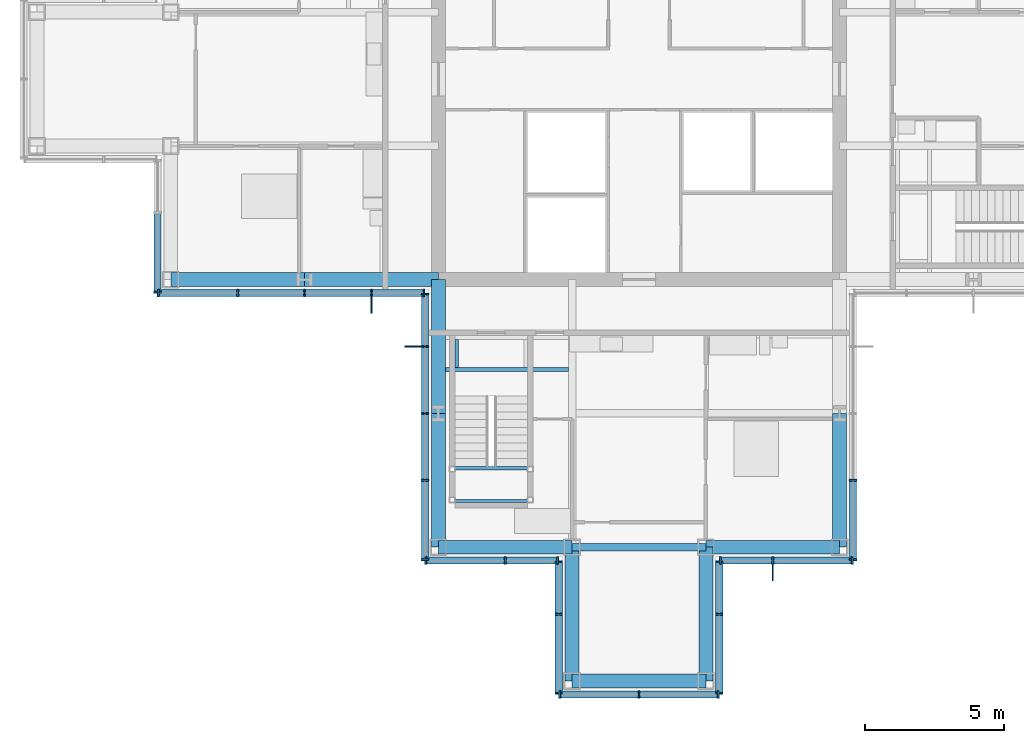
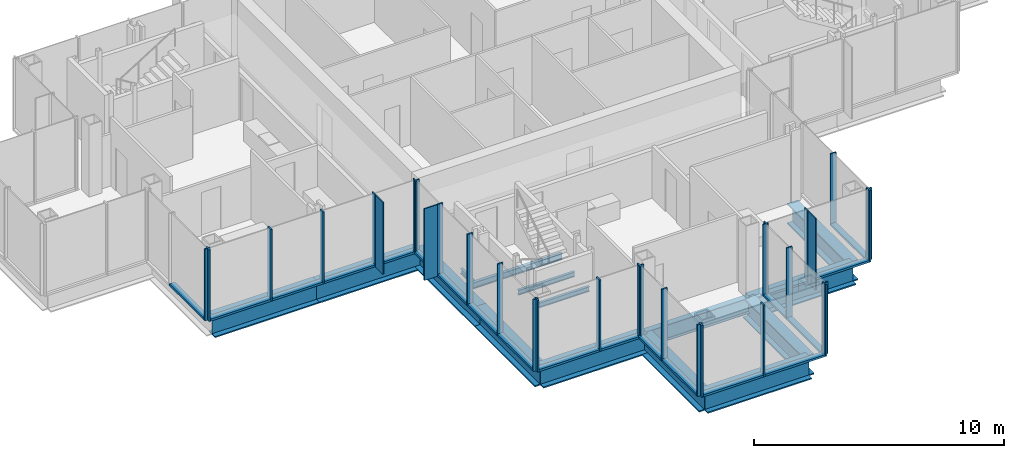
# One storey, part 5 of 15: 51 members, 15 beams, 9 elements without a shape of their own.
"""IFC4 building model written with IfcOpenShell, lengths in metres."""

from ifc_helpers import new_model, si_unit, direction, frame, origin, origin_2d, place, context, subcontext, project, spatial, rectangle, i_section, extrude, material, material_profile, profile_set, type_object, element, aggregate, save


model = new_model("IFC4")

# Units and contexts
model_context = context("Model", 3, precision=1e-05, world=origin(), true_north=direction((0.0, 1.0)))
body_context = subcontext(model_context, "Body", "Model", "MODEL_VIEW")
ifc_project = project(units=[si_unit("LENGTHUNIT", "METRE"), si_unit("AREAUNIT", "SQUARE_METRE"), si_unit("VOLUMEUNIT", "CUBIC_METRE"), si_unit("PLANEANGLEUNIT", "RADIAN"), si_unit("MASSUNIT", "GRAM", prefix="KILO")], contexts=[model_context])

# Site, building, storey
site_placement = place(None, origin())
site = spatial("IfcSite", under=ifc_project, at=site_placement, CompositionType="ELEMENT")
building_placement = place(site_placement, origin())
building = spatial("IfcBuilding", under=site, at=building_placement, Name="Kvirike Care Tower", CompositionType="ELEMENT")
storey_placement = place(building_placement, frame((0.0, 0.0, 201.5)))
storey = spatial("IfcBuildingStorey", under=building, at=storey_placement, Name="L55", CompositionType="ELEMENT", Elevation=201.5)

# Curtain wall, member
ifc_material_1 = material(Name="Anodised aluminium stick system", Category="aluminium")
curtain_wall_type = type_object("IfcCurtainWallType", Name="CW-D STICK CURTAIN WALL", PredefinedType="NOTDEFINED", material=ifc_material_1)
curtain_wall_1_placement = place(storey_placement, origin())
curtain_wall_1 = element("IfcCurtainWall", 1, at=curtain_wall_1_placement, inside=storey, type_object=curtain_wall_type, Name="Curtain wall L55 face 13", PredefinedType="NOTDEFINED")
ifc_material_2 = material(Name="Bronze anodised aluminium fin", Category="aluminium")
ifc_material_profile_1 = material_profile(ifc_material_2, rectangle(XDim=0.050048828125, YDim=0.60009765625, at=origin_2d()), Name="BRONZE FIN 600")
ifc_profile_set_1 = profile_set([ifc_material_profile_1], Name="Bronze anodised aluminium fin")
member_type_1 = type_object("IfcMemberType", Name="BRONZE FIN 600", PredefinedType="USERDEFINED", material=ifc_profile_set_1)
member_1_placement = place(storey_placement, frame((12.0, 27.889892578125, 0.0), z_axis=(0.0, 0.0, 1.0), x_axis=(1.0, 0.0, 0.0)))
member_1 = element("IfcMember", 2, at=member_1_placement, type_object=member_type_1, Name="Bronze fin L55 face 13.4", ObjectType="FIN", PredefinedType="USERDEFINED", context=body_context, shape_type="SweptSolid", body=[
    extrude(rectangle(XDim=0.050048828125, YDim=0.60009765625, at=origin_2d()), origin(), (0.0, 0.0, 1.0), 3.5),
])

curtain_wall_2_placement = place(storey_placement, origin())
curtain_wall_2 = element("IfcCurtainWall", 3, at=curtain_wall_2_placement, inside=storey, type_object=curtain_wall_type, Name="Curtain wall L55 face 14", PredefinedType="NOTDEFINED")
member_2_placement = place(storey_placement, frame((13.489990234375, 26.39990234375, 0.0), z_axis=(0.0, 0.0, 1.0), x_axis=(0.0, -1.0, 0.0)))
member_2 = element("IfcMember", 4, at=member_2_placement, type_object=member_type_1, Name="Bronze fin L55 face 14.2", ObjectType="FIN", PredefinedType="USERDEFINED", context=body_context, shape_type="SweptSolid", body=[
    extrude(rectangle(XDim=0.050048828125, YDim=0.60009765625, at=origin_2d()), origin(), (0.0, 0.0, 1.0), 3.5),
])

curtain_wall_3_placement = place(storey_placement, origin())
curtain_wall_3 = element("IfcCurtainWall", 5, at=curtain_wall_3_placement, inside=storey, type_object=curtain_wall_type, Name="Curtain wall L55 face 19", PredefinedType="NOTDEFINED")
member_3_placement = place(storey_placement, frame((26.39990234375, 18.2900390625, 0.0), z_axis=(0.0, 0.0, 1.0), x_axis=(1.0, 0.0, 0.0)))
member_3 = element("IfcMember", 6, at=member_3_placement, type_object=member_type_1, Name="Bronze fin L55 face 19.2", ObjectType="FIN", PredefinedType="USERDEFINED", context=body_context, shape_type="SweptSolid", body=[
    extrude(rectangle(XDim=0.050048828125, YDim=0.60009765625, at=origin_2d()), origin(), (0.0, 0.0, 1.0), 3.5),
])

curtain_wall_4_placement = place(storey_placement, origin())
curtain_wall_4 = element("IfcCurtainWall", 7, at=curtain_wall_4_placement, inside=storey, type_object=curtain_wall_type, Name="Curtain wall L55 face 12", PredefinedType="NOTDEFINED")
ifc_material_3 = material(Name="Bronze anodised aluminium mullion", Category="aluminium")
ifc_material_profile_2 = material_profile(ifc_material_3, rectangle(XDim=0.06494140625, YDim=0.260009765625, at=origin_2d()), Name="CW-D MULLION 65x260")
ifc_profile_set_2 = profile_set([ifc_material_profile_2], Name="Bronze anodised aluminium mullion")
member_type_2 = type_object("IfcMemberType", Name="CW-D MULLION 65x260", PredefinedType="MULLION", material=ifc_profile_set_2)
member_4_placement = place(storey_placement, frame((4.320068359375, 28.3525390625, 0.0), z_axis=(0.0, 0.0, 1.0), x_axis=(0.0, -1.0, 0.0)))
member_4 = element("IfcMember", 8, at=member_4_placement, type_object=member_type_2, Name="CW-D mullion L55 face 12.3", PredefinedType="MULLION", context=body_context, shape_type="SweptSolid", body=[
    extrude(rectangle(XDim=0.06494140625, YDim=0.260009765625, at=origin_2d()), origin(), (0.0, 0.0, 1.0), 3.5),
])

# Member
member_5_placement = place(storey_placement, frame((4.3525390625, 28.320068359375, 0.0), z_axis=(0.0, 0.0, 1.0), x_axis=(1.0, 0.0, 0.0)))
member_5 = element("IfcMember", 9, at=member_5_placement, type_object=member_type_2, Name="CW-D mullion L55 face 13.1", PredefinedType="MULLION", context=body_context, shape_type="SweptSolid", body=[
    extrude(rectangle(XDim=0.06494140625, YDim=0.260009765625, at=origin_2d()), origin(), (0.0, 0.0, 1.0), 3.5),
])

member_6_placement = place(storey_placement, frame((7.199951171875, 28.320068359375, 0.0), z_axis=(0.0, 0.0, 1.0), x_axis=(1.0, 0.0, 0.0)))
member_6 = element("IfcMember", 10, at=member_6_placement, type_object=member_type_2, Name="CW-D mullion L55 face 13.2", PredefinedType="MULLION", context=body_context, shape_type="SweptSolid", body=[
    extrude(rectangle(XDim=0.06494140625, YDim=0.260009765625, at=origin_2d()), origin(), (0.0, 0.0, 1.0), 3.5),
])

member_7_placement = place(storey_placement, frame((9.60009765625, 28.320068359375, 0.0), z_axis=(0.0, 0.0, 1.0), x_axis=(1.0, 0.0, 0.0)))
member_7 = element("IfcMember", 11, at=member_7_placement, type_object=member_type_2, Name="CW-D mullion L55 face 13.3", PredefinedType="MULLION", context=body_context, shape_type="SweptSolid", body=[
    extrude(rectangle(XDim=0.06494140625, YDim=0.260009765625, at=origin_2d()), origin(), (0.0, 0.0, 1.0), 3.5),
])

member_8_placement = place(storey_placement, frame((12.0, 28.320068359375, 0.0), z_axis=(0.0, 0.0, 1.0), x_axis=(1.0, 0.0, 0.0)))
member_8 = element("IfcMember", 12, at=member_8_placement, type_object=member_type_2, Name="CW-D mullion L55 face 13.4", PredefinedType="MULLION", context=body_context, shape_type="SweptSolid", body=[
    extrude(rectangle(XDim=0.06494140625, YDim=0.260009765625, at=origin_2d()), origin(), (0.0, 0.0, 1.0), 3.5),
])

member_9_placement = place(storey_placement, frame((13.887451171875, 28.320068359375, 0.0), z_axis=(0.0, 0.0, 1.0), x_axis=(1.0, 0.0, 0.0)))
member_9 = element("IfcMember", 13, at=member_9_placement, type_object=member_type_2, Name="CW-D mullion L55 face 13.5", PredefinedType="MULLION", context=body_context, shape_type="SweptSolid", body=[
    extrude(rectangle(XDim=0.06494140625, YDim=0.260009765625, at=origin_2d()), origin(), (0.0, 0.0, 1.0), 3.5),
])

member_10_placement = place(storey_placement, frame((13.919921875, 28.28759765625, 0.0), z_axis=(0.0, 0.0, 1.0), x_axis=(0.0, -1.0, 0.0)))
member_10 = element("IfcMember", 14, at=member_10_placement, type_object=member_type_2, Name="CW-D mullion L55 face 14.1", PredefinedType="MULLION", context=body_context, shape_type="SweptSolid", body=[
    extrude(rectangle(XDim=0.06494140625, YDim=0.260009765625, at=origin_2d()), origin(), (0.0, 0.0, 1.0), 3.5),
])

member_11_placement = place(storey_placement, frame((13.919921875, 26.39990234375, 0.0), z_axis=(0.0, 0.0, 1.0), x_axis=(0.0, -1.0, 0.0)))
member_11 = element("IfcMember", 15, at=member_11_placement, type_object=member_type_2, Name="CW-D mullion L55 face 14.2", PredefinedType="MULLION", context=body_context, shape_type="SweptSolid", body=[
    extrude(rectangle(XDim=0.06494140625, YDim=0.260009765625, at=origin_2d()), origin(), (0.0, 0.0, 1.0), 3.5),
])

member_12_placement = place(storey_placement, frame((13.919921875, 24.0, 0.0), z_axis=(0.0, 0.0, 1.0), x_axis=(0.0, -1.0, 0.0)))
member_12 = element("IfcMember", 16, at=member_12_placement, type_object=member_type_2, Name="CW-D mullion L55 face 14.3", PredefinedType="MULLION", context=body_context, shape_type="SweptSolid", body=[
    extrude(rectangle(XDim=0.06494140625, YDim=0.260009765625, at=origin_2d()), origin(), (0.0, 0.0, 1.0), 3.5),
])

member_13_placement = place(storey_placement, frame((13.919921875, 21.60009765625, 0.0), z_axis=(0.0, 0.0, 1.0), x_axis=(0.0, -1.0, 0.0)))
member_13 = element("IfcMember", 17, at=member_13_placement, type_object=member_type_2, Name="CW-D mullion L55 face 14.4", PredefinedType="MULLION", context=body_context, shape_type="SweptSolid", body=[
    extrude(rectangle(XDim=0.06494140625, YDim=0.260009765625, at=origin_2d()), origin(), (0.0, 0.0, 1.0), 3.5),
])

member_14_placement = place(storey_placement, frame((13.919921875, 18.75244140625, 0.0), z_axis=(0.0, 0.0, 1.0), x_axis=(0.0, -1.0, 0.0)))
member_14 = element("IfcMember", 18, at=member_14_placement, type_object=member_type_2, Name="CW-D mullion L55 face 14.5", PredefinedType="MULLION", context=body_context, shape_type="SweptSolid", body=[
    extrude(rectangle(XDim=0.06494140625, YDim=0.260009765625, at=origin_2d()), origin(), (0.0, 0.0, 1.0), 3.5),
])

# Curtain wall, members
curtain_wall_5_placement = place(storey_placement, origin())
curtain_wall_5 = element("IfcCurtainWall", 19, at=curtain_wall_5_placement, inside=storey, type_object=curtain_wall_type, Name="Curtain wall L55 face 15", PredefinedType="NOTDEFINED")
member_15_placement = place(storey_placement, frame((13.952392578125, 18.719970703125, 0.0), z_axis=(0.0, 0.0, 1.0), x_axis=(1.0, 0.0, 0.0)))
member_15 = element("IfcMember", 20, at=member_15_placement, type_object=member_type_2, Name="CW-D mullion L55 face 15.1", PredefinedType="MULLION", context=body_context, shape_type="SweptSolid", body=[
    extrude(rectangle(XDim=0.06494140625, YDim=0.260009765625, at=origin_2d()), origin(), (0.0, 0.0, 1.0), 3.5),
])
member_16_placement = place(storey_placement, frame((16.800048828125, 18.719970703125, 0.0), z_axis=(0.0, 0.0, 1.0), x_axis=(1.0, 0.0, 0.0)))
member_16 = element("IfcMember", 21, at=member_16_placement, type_object=member_type_2, Name="CW-D mullion L55 face 15.2", PredefinedType="MULLION", context=body_context, shape_type="SweptSolid", body=[
    extrude(rectangle(XDim=0.06494140625, YDim=0.260009765625, at=origin_2d()), origin(), (0.0, 0.0, 1.0), 3.5),
])
member_17_placement = place(storey_placement, frame((18.6875, 18.719970703125, 0.0), z_axis=(0.0, 0.0, 1.0), x_axis=(1.0, 0.0, 0.0)))
member_17 = element("IfcMember", 22, at=member_17_placement, type_object=member_type_2, Name="CW-D mullion L55 face 15.3", PredefinedType="MULLION", context=body_context, shape_type="SweptSolid", body=[
    extrude(rectangle(XDim=0.06494140625, YDim=0.260009765625, at=origin_2d()), origin(), (0.0, 0.0, 1.0), 3.5),
])

curtain_wall_6_placement = place(storey_placement, origin())
curtain_wall_6 = element("IfcCurtainWall", 23, at=curtain_wall_6_placement, inside=storey, type_object=curtain_wall_type, Name="Curtain wall L55 face 16", PredefinedType="NOTDEFINED")
member_18_placement = place(storey_placement, frame((18.719970703125, 18.6875, 0.0), z_axis=(0.0, 0.0, 1.0), x_axis=(0.0, -1.0, 0.0)))
member_18 = element("IfcMember", 24, at=member_18_placement, type_object=member_type_2, Name="CW-D mullion L55 face 16.1", PredefinedType="MULLION", context=body_context, shape_type="SweptSolid", body=[
    extrude(rectangle(XDim=0.06494140625, YDim=0.260009765625, at=origin_2d()), origin(), (0.0, 0.0, 1.0), 3.5),
])
member_19_placement = place(storey_placement, frame((18.719970703125, 16.800048828125, 0.0), z_axis=(0.0, 0.0, 1.0), x_axis=(0.0, -1.0, 0.0)))
member_19 = element("IfcMember", 25, at=member_19_placement, type_object=member_type_2, Name="CW-D mullion L55 face 16.2", PredefinedType="MULLION", context=body_context, shape_type="SweptSolid", body=[
    extrude(rectangle(XDim=0.06494140625, YDim=0.260009765625, at=origin_2d()), origin(), (0.0, 0.0, 1.0), 3.5),
])
member_20_placement = place(storey_placement, frame((18.719970703125, 13.952392578125, 0.0), z_axis=(0.0, 0.0, 1.0), x_axis=(0.0, -1.0, 0.0)))
member_20 = element("IfcMember", 26, at=member_20_placement, type_object=member_type_2, Name="CW-D mullion L55 face 16.3", PredefinedType="MULLION", context=body_context, shape_type="SweptSolid", body=[
    extrude(rectangle(XDim=0.06494140625, YDim=0.260009765625, at=origin_2d()), origin(), (0.0, 0.0, 1.0), 3.5),
])

curtain_wall_7_placement = place(storey_placement, origin())
curtain_wall_7 = element("IfcCurtainWall", 27, at=curtain_wall_7_placement, inside=storey, type_object=curtain_wall_type, Name="Curtain wall L55 face 17", PredefinedType="NOTDEFINED")
member_21_placement = place(storey_placement, frame((18.75244140625, 13.919921875, 0.0), z_axis=(0.0, 0.0, 1.0), x_axis=(1.0, 0.0, 0.0)))
member_21 = element("IfcMember", 28, at=member_21_placement, type_object=member_type_2, Name="CW-D mullion L55 face 17.1", PredefinedType="MULLION", context=body_context, shape_type="SweptSolid", body=[
    extrude(rectangle(XDim=0.06494140625, YDim=0.260009765625, at=origin_2d()), origin(), (0.0, 0.0, 1.0), 3.5),
])
member_22_placement = place(storey_placement, frame((21.60009765625, 13.919921875, 0.0), z_axis=(0.0, 0.0, 1.0), x_axis=(1.0, 0.0, 0.0)))
member_22 = element("IfcMember", 29, at=member_22_placement, type_object=member_type_2, Name="CW-D mullion L55 face 17.2", PredefinedType="MULLION", context=body_context, shape_type="SweptSolid", body=[
    extrude(rectangle(XDim=0.06494140625, YDim=0.260009765625, at=origin_2d()), origin(), (0.0, 0.0, 1.0), 3.5),
])
member_23_placement = place(storey_placement, frame((24.447509765625, 13.919921875, 0.0), z_axis=(0.0, 0.0, 1.0), x_axis=(1.0, 0.0, 0.0)))
member_23 = element("IfcMember", 30, at=member_23_placement, type_object=member_type_2, Name="CW-D mullion L55 face 17.3", PredefinedType="MULLION", context=body_context, shape_type="SweptSolid", body=[
    extrude(rectangle(XDim=0.06494140625, YDim=0.260009765625, at=origin_2d()), origin(), (0.0, 0.0, 1.0), 3.5),
])

curtain_wall_8_placement = place(storey_placement, origin())
curtain_wall_8 = element("IfcCurtainWall", 31, at=curtain_wall_8_placement, inside=storey, type_object=curtain_wall_type, Name="Curtain wall L55 face 18", PredefinedType="NOTDEFINED")
member_24_placement = place(storey_placement, frame((24.47998046875, 13.952392578125, 0.0), z_axis=(0.0, 0.0, 1.0), x_axis=(0.0, 1.0, 0.0)))
member_24 = element("IfcMember", 32, at=member_24_placement, type_object=member_type_2, Name="CW-D mullion L55 face 18.1", PredefinedType="MULLION", context=body_context, shape_type="SweptSolid", body=[
    extrude(rectangle(XDim=0.06494140625, YDim=0.260009765625, at=origin_2d()), origin(), (0.0, 0.0, 1.0), 3.5),
])
member_25_placement = place(storey_placement, frame((24.47998046875, 16.800048828125, 0.0), z_axis=(0.0, 0.0, 1.0), x_axis=(0.0, 1.0, 0.0)))
member_25 = element("IfcMember", 33, at=member_25_placement, type_object=member_type_2, Name="CW-D mullion L55 face 18.2", PredefinedType="MULLION", context=body_context, shape_type="SweptSolid", body=[
    extrude(rectangle(XDim=0.06494140625, YDim=0.260009765625, at=origin_2d()), origin(), (0.0, 0.0, 1.0), 3.5),
])
member_26_placement = place(storey_placement, frame((24.47998046875, 18.6875, 0.0), z_axis=(0.0, 0.0, 1.0), x_axis=(0.0, 1.0, 0.0)))
member_26 = element("IfcMember", 34, at=member_26_placement, type_object=member_type_2, Name="CW-D mullion L55 face 18.3", PredefinedType="MULLION", context=body_context, shape_type="SweptSolid", body=[
    extrude(rectangle(XDim=0.06494140625, YDim=0.260009765625, at=origin_2d()), origin(), (0.0, 0.0, 1.0), 3.5),
])

# Member
member_27_placement = place(storey_placement, frame((24.512451171875, 18.719970703125, 0.0), z_axis=(0.0, 0.0, 1.0), x_axis=(1.0, 0.0, 0.0)))
member_27 = element("IfcMember", 35, at=member_27_placement, type_object=member_type_2, Name="CW-D mullion L55 face 19.1", PredefinedType="MULLION", context=body_context, shape_type="SweptSolid", body=[
    extrude(rectangle(XDim=0.06494140625, YDim=0.260009765625, at=origin_2d()), origin(), (0.0, 0.0, 1.0), 3.5),
])

member_28_placement = place(storey_placement, frame((26.39990234375, 18.719970703125, 0.0), z_axis=(0.0, 0.0, 1.0), x_axis=(1.0, 0.0, 0.0)))
member_28 = element("IfcMember", 36, at=member_28_placement, type_object=member_type_2, Name="CW-D mullion L55 face 19.2", PredefinedType="MULLION", context=body_context, shape_type="SweptSolid", body=[
    extrude(rectangle(XDim=0.06494140625, YDim=0.260009765625, at=origin_2d()), origin(), (0.0, 0.0, 1.0), 3.5),
])

member_29_placement = place(storey_placement, frame((29.24755859375, 18.719970703125, 0.0), z_axis=(0.0, 0.0, 1.0), x_axis=(1.0, 0.0, 0.0)))
member_29 = element("IfcMember", 37, at=member_29_placement, type_object=member_type_2, Name="CW-D mullion L55 face 19.3", PredefinedType="MULLION", context=body_context, shape_type="SweptSolid", body=[
    extrude(rectangle(XDim=0.06494140625, YDim=0.260009765625, at=origin_2d()), origin(), (0.0, 0.0, 1.0), 3.5),
])

# Curtain wall, members
curtain_wall_9_placement = place(storey_placement, origin())
curtain_wall_9 = element("IfcCurtainWall", 38, at=curtain_wall_9_placement, inside=storey, type_object=curtain_wall_type, Name="Curtain wall L55 face 20", PredefinedType="NOTDEFINED")
member_30_placement = place(storey_placement, frame((29.280029296875, 18.75244140625, 0.0), z_axis=(0.0, 0.0, 1.0), x_axis=(0.0, 1.0, 0.0)))
member_30 = element("IfcMember", 39, at=member_30_placement, type_object=member_type_2, Name="CW-D mullion L55 face 20.1", PredefinedType="MULLION", context=body_context, shape_type="SweptSolid", body=[
    extrude(rectangle(XDim=0.06494140625, YDim=0.260009765625, at=origin_2d()), origin(), (0.0, 0.0, 1.0), 3.5),
])
member_31_placement = place(storey_placement, frame((29.280029296875, 21.60009765625, 0.0), z_axis=(0.0, 0.0, 1.0), x_axis=(0.0, 1.0, 0.0)))
member_31 = element("IfcMember", 40, at=member_31_placement, type_object=member_type_2, Name="CW-D mullion L55 face 20.2", PredefinedType="MULLION", context=body_context, shape_type="SweptSolid", body=[
    extrude(rectangle(XDim=0.06494140625, YDim=0.260009765625, at=origin_2d()), origin(), (0.0, 0.0, 1.0), 3.5),
])

# Member
ifc_material_4 = material(Name="Bronze anodised aluminium transom", Category="aluminium")
ifc_material_profile_3 = material_profile(ifc_material_4, rectangle(XDim=0.260009765625, YDim=0.10009765625, at=origin_2d()), Name="CW-D TRANSOM 260x100")
ifc_profile_set_3 = profile_set([ifc_material_profile_3], Name="Bronze anodised aluminium transom")
member_type_3 = type_object("IfcMemberType", Name="CW-D TRANSOM 260x100", PredefinedType="USERDEFINED", material=ifc_profile_set_3)
member_32_placement = place(storey_placement, frame((4.320068359375, 31.16748046875, 0.050048828125), z_axis=(0.0, -1.0, 0.0), x_axis=(1.0, 0.0, 0.0)))
member_32 = element("IfcMember", 41, at=member_32_placement, type_object=member_type_3, Name="CW-D sill transom L55 face 12.2", ObjectType="TRANSOM", PredefinedType="USERDEFINED", context=body_context, shape_type="SweptSolid", body=[
    extrude(rectangle(XDim=0.260009765625, YDim=0.10009765625, at=origin_2d()), origin(), (0.0, 0.0, 1.0), 2.782470703125),
])

aggregate(curtain_wall_4, [member_4, member_32])

member_33_placement = place(storey_placement, frame((4.385009765625, 28.320068359375, 0.050048828125), z_axis=(1.0, 0.0, 0.0), x_axis=(0.0, 1.0, 0.0)))
member_33 = element("IfcMember", 42, at=member_33_placement, type_object=member_type_3, Name="CW-D sill transom L55 face 13.1", ObjectType="TRANSOM", PredefinedType="USERDEFINED", context=body_context, shape_type="SweptSolid", body=[
    extrude(rectangle(XDim=0.260009765625, YDim=0.10009765625, at=origin_2d()), origin(), (0.0, 0.0, 1.0), 2.782470703125),
])

member_34_placement = place(storey_placement, frame((7.232421875, 28.320068359375, 0.050048828125), z_axis=(1.0, 0.0, 0.0), x_axis=(0.0, 1.0, 0.0)))
member_34 = element("IfcMember", 43, at=member_34_placement, type_object=member_type_3, Name="CW-D sill transom L55 face 13.2", ObjectType="TRANSOM", PredefinedType="USERDEFINED", context=body_context, shape_type="SweptSolid", body=[
    extrude(rectangle(XDim=0.260009765625, YDim=0.10009765625, at=origin_2d()), origin(), (0.0, 0.0, 1.0), 2.3349609375),
])

member_35_placement = place(storey_placement, frame((9.632568359375, 28.320068359375, 0.050048828125), z_axis=(1.0, 0.0, 0.0), x_axis=(0.0, 1.0, 0.0)))
member_35 = element("IfcMember", 44, at=member_35_placement, type_object=member_type_3, Name="CW-D sill transom L55 face 13.3", ObjectType="TRANSOM", PredefinedType="USERDEFINED", context=body_context, shape_type="SweptSolid", body=[
    extrude(rectangle(XDim=0.260009765625, YDim=0.10009765625, at=origin_2d()), origin(), (0.0, 0.0, 1.0), 2.3349609375),
])

member_36_placement = place(storey_placement, frame((12.032470703125, 28.320068359375, 0.050048828125), z_axis=(1.0, 0.0, 0.0), x_axis=(0.0, 1.0, 0.0)))
member_36 = element("IfcMember", 45, at=member_36_placement, type_object=member_type_3, Name="CW-D sill transom L55 face 13.4", ObjectType="TRANSOM", PredefinedType="USERDEFINED", context=body_context, shape_type="SweptSolid", body=[
    extrude(rectangle(XDim=0.260009765625, YDim=0.10009765625, at=origin_2d()), origin(), (0.0, 0.0, 1.0), 1.822509765625),
])

aggregate(curtain_wall_1, [member_5, member_6, member_7, member_8, member_1, member_9, member_33, member_34, member_35, member_36])

member_37_placement = place(storey_placement, frame((13.919921875, 28.2548828125, 0.050048828125), z_axis=(0.0, -1.0, 0.0), x_axis=(1.0, 0.0, 0.0)))
member_37 = element("IfcMember", 46, at=member_37_placement, type_object=member_type_3, Name="CW-D sill transom L55 face 14.1", ObjectType="TRANSOM", PredefinedType="USERDEFINED", context=body_context, shape_type="SweptSolid", body=[
    extrude(rectangle(XDim=0.260009765625, YDim=0.10009765625, at=origin_2d()), origin(), (0.0, 0.0, 1.0), 1.822265625),
])

member_38_placement = place(storey_placement, frame((13.919921875, 26.367431640625, 0.050048828125), z_axis=(0.0, -1.0, 0.0), x_axis=(1.0, 0.0, 0.0)))
member_38 = element("IfcMember", 47, at=member_38_placement, type_object=member_type_3, Name="CW-D sill transom L55 face 14.2", ObjectType="TRANSOM", PredefinedType="USERDEFINED", context=body_context, shape_type="SweptSolid", body=[
    extrude(rectangle(XDim=0.260009765625, YDim=0.10009765625, at=origin_2d()), origin(), (0.0, 0.0, 1.0), 2.3349609375),
])

member_39_placement = place(storey_placement, frame((13.919921875, 23.967529296875, 0.050048828125), z_axis=(0.0, -1.0, 0.0), x_axis=(1.0, 0.0, 0.0)))
member_39 = element("IfcMember", 48, at=member_39_placement, type_object=member_type_3, Name="CW-D sill transom L55 face 14.3", ObjectType="TRANSOM", PredefinedType="USERDEFINED", context=body_context, shape_type="SweptSolid", body=[
    extrude(rectangle(XDim=0.260009765625, YDim=0.10009765625, at=origin_2d()), origin(), (0.0, 0.0, 1.0), 2.3349609375),
])

member_40_placement = place(storey_placement, frame((13.919921875, 21.5673828125, 0.050048828125), z_axis=(0.0, -1.0, 0.0), x_axis=(1.0, 0.0, 0.0)))
member_40 = element("IfcMember", 49, at=member_40_placement, type_object=member_type_3, Name="CW-D sill transom L55 face 14.4", ObjectType="TRANSOM", PredefinedType="USERDEFINED", context=body_context, shape_type="SweptSolid", body=[
    extrude(rectangle(XDim=0.260009765625, YDim=0.10009765625, at=origin_2d()), origin(), (0.0, 0.0, 1.0), 2.782470703125),
])

aggregate(curtain_wall_2, [member_10, member_11, member_2, member_12, member_13, member_14, member_37, member_38, member_39, member_40])

member_41_placement = place(storey_placement, frame((13.985107421875, 18.719970703125, 0.050048828125), z_axis=(1.0, 0.0, 0.0), x_axis=(0.0, 1.0, 0.0)))
member_41 = element("IfcMember", 50, at=member_41_placement, type_object=member_type_3, Name="CW-D sill transom L55 face 15.1", ObjectType="TRANSOM", PredefinedType="USERDEFINED", context=body_context, shape_type="SweptSolid", body=[
    extrude(rectangle(XDim=0.260009765625, YDim=0.10009765625, at=origin_2d()), origin(), (0.0, 0.0, 1.0), 2.782470703125),
])

member_42_placement = place(storey_placement, frame((16.83251953125, 18.719970703125, 0.050048828125), z_axis=(1.0, 0.0, 0.0), x_axis=(0.0, 1.0, 0.0)))
member_42 = element("IfcMember", 51, at=member_42_placement, type_object=member_type_3, Name="CW-D sill transom L55 face 15.2", ObjectType="TRANSOM", PredefinedType="USERDEFINED", context=body_context, shape_type="SweptSolid", body=[
    extrude(rectangle(XDim=0.260009765625, YDim=0.10009765625, at=origin_2d()), origin(), (0.0, 0.0, 1.0), 1.822509765625),
])

aggregate(curtain_wall_5, [member_15, member_16, member_17, member_41, member_42])

member_43_placement = place(storey_placement, frame((18.719970703125, 18.655029296875, 0.050048828125), z_axis=(0.0, -1.0, 0.0), x_axis=(1.0, 0.0, 0.0)))
member_43 = element("IfcMember", 52, at=member_43_placement, type_object=member_type_3, Name="CW-D sill transom L55 face 16.1", ObjectType="TRANSOM", PredefinedType="USERDEFINED", context=body_context, shape_type="SweptSolid", body=[
    extrude(rectangle(XDim=0.260009765625, YDim=0.10009765625, at=origin_2d()), origin(), (0.0, 0.0, 1.0), 1.822509765625),
])

member_44_placement = place(storey_placement, frame((18.719970703125, 16.767578125, 0.050048828125), z_axis=(0.0, -1.0, 0.0), x_axis=(1.0, 0.0, 0.0)))
member_44 = element("IfcMember", 53, at=member_44_placement, type_object=member_type_3, Name="CW-D sill transom L55 face 16.2", ObjectType="TRANSOM", PredefinedType="USERDEFINED", context=body_context, shape_type="SweptSolid", body=[
    extrude(rectangle(XDim=0.260009765625, YDim=0.10009765625, at=origin_2d()), origin(), (0.0, 0.0, 1.0), 2.782470703125),
])

aggregate(curtain_wall_6, [member_18, member_19, member_20, member_43, member_44])

member_45_placement = place(storey_placement, frame((18.784912109375, 13.919921875, 0.050048828125), z_axis=(1.0, 0.0, 0.0), x_axis=(0.0, 1.0, 0.0)))
member_45 = element("IfcMember", 54, at=member_45_placement, type_object=member_type_3, Name="CW-D sill transom L55 face 17.1", ObjectType="TRANSOM", PredefinedType="USERDEFINED", context=body_context, shape_type="SweptSolid", body=[
    extrude(rectangle(XDim=0.260009765625, YDim=0.10009765625, at=origin_2d()), origin(), (0.0, 0.0, 1.0), 2.782470703125),
])

member_46_placement = place(storey_placement, frame((21.632568359375, 13.919921875, 0.050048828125), z_axis=(1.0, 0.0, 0.0), x_axis=(0.0, 1.0, 0.0)))
member_46 = element("IfcMember", 55, at=member_46_placement, type_object=member_type_3, Name="CW-D sill transom L55 face 17.2", ObjectType="TRANSOM", PredefinedType="USERDEFINED", context=body_context, shape_type="SweptSolid", body=[
    extrude(rectangle(XDim=0.260009765625, YDim=0.10009765625, at=origin_2d()), origin(), (0.0, 0.0, 1.0), 2.782470703125),
])

aggregate(curtain_wall_7, [member_21, member_22, member_23, member_45, member_46])

member_47_placement = place(storey_placement, frame((24.47998046875, 13.985107421875, 0.050048828125), z_axis=(0.0, 1.0, 0.0), x_axis=(-1.0, 0.0, 0.0)))
member_47 = element("IfcMember", 56, at=member_47_placement, type_object=member_type_3, Name="CW-D sill transom L55 face 18.1", ObjectType="TRANSOM", PredefinedType="USERDEFINED", context=body_context, shape_type="SweptSolid", body=[
    extrude(rectangle(XDim=0.260009765625, YDim=0.10009765625, at=origin_2d()), origin(), (0.0, 0.0, 1.0), 2.782470703125),
])

member_48_placement = place(storey_placement, frame((24.47998046875, 16.83251953125, 0.050048828125), z_axis=(0.0, 1.0, 0.0), x_axis=(-1.0, 0.0, 0.0)))
member_48 = element("IfcMember", 57, at=member_48_placement, type_object=member_type_3, Name="CW-D sill transom L55 face 18.2", ObjectType="TRANSOM", PredefinedType="USERDEFINED", context=body_context, shape_type="SweptSolid", body=[
    extrude(rectangle(XDim=0.260009765625, YDim=0.10009765625, at=origin_2d()), origin(), (0.0, 0.0, 1.0), 1.822509765625),
])

aggregate(curtain_wall_8, [member_24, member_25, member_26, member_47, member_48])

member_49_placement = place(storey_placement, frame((24.544921875, 18.719970703125, 0.050048828125), z_axis=(1.0, 0.0, 0.0), x_axis=(0.0, 1.0, 0.0)))
member_49 = element("IfcMember", 58, at=member_49_placement, type_object=member_type_3, Name="CW-D sill transom L55 face 19.1", ObjectType="TRANSOM", PredefinedType="USERDEFINED", context=body_context, shape_type="SweptSolid", body=[
    extrude(rectangle(XDim=0.260009765625, YDim=0.10009765625, at=origin_2d()), origin(), (0.0, 0.0, 1.0), 1.822509765625),
])

member_50_placement = place(storey_placement, frame((26.4326171875, 18.719970703125, 0.050048828125), z_axis=(1.0, 0.0, 0.0), x_axis=(0.0, 1.0, 0.0)))
member_50 = element("IfcMember", 59, at=member_50_placement, type_object=member_type_3, Name="CW-D sill transom L55 face 19.2", ObjectType="TRANSOM", PredefinedType="USERDEFINED", context=body_context, shape_type="SweptSolid", body=[
    extrude(rectangle(XDim=0.260009765625, YDim=0.10009765625, at=origin_2d()), origin(), (0.0, 0.0, 1.0), 2.782470703125),
])

aggregate(curtain_wall_3, [member_27, member_28, member_3, member_29, member_49, member_50])

member_51_placement = place(storey_placement, frame((29.280029296875, 18.784912109375, 0.050048828125), z_axis=(0.0, 1.0, 0.0), x_axis=(-1.0, 0.0, 0.0)))
member_51 = element("IfcMember", 60, at=member_51_placement, type_object=member_type_3, Name="CW-D sill transom L55 face 20.1", ObjectType="TRANSOM", PredefinedType="USERDEFINED", context=body_context, shape_type="SweptSolid", body=[
    extrude(rectangle(XDim=0.260009765625, YDim=0.10009765625, at=origin_2d()), origin(), (0.0, 0.0, 1.0), 2.782470703125),
])

aggregate(curtain_wall_9, [member_30, member_31, member_51])

# Beams
ifc_material_5 = material(Name="Steel S355", Category="steel")
ifc_material_profile_4 = material_profile(ifc_material_5, i_section(OverallWidth=0.26806640625, OverallDepth=0.77001953125, WebThickness=0.015625, FlangeThickness=0.025390625, FilletRadius=0.01708984375, at=origin_2d()), Name="IPE 750x196")
ifc_profile_set_4 = profile_set([ifc_material_profile_4], Name="Steel S355")
beam_type_1 = type_object("IfcBeamType", Name="FLOOR BEAM IPE 750x196", PredefinedType="BEAM", material=ifc_profile_set_4)
beam_1_placement = place(storey_placement, frame((19.199951171875, 19.199951171875, -0.554931640625), z_axis=(1.0, 0.0, 0.0), x_axis=(0.0, 1.0, 0.0)))
element("IfcBeam", 61, at=beam_1_placement, inside=storey, type_object=beam_type_1, Name="Floor Beam E7-E8 L55", PredefinedType="BEAM", context=body_context, shape_type="SweptSolid", body=[
    extrude(i_section(OverallWidth=0.26806640625, OverallDepth=0.77001953125, WebThickness=0.015625, FlangeThickness=0.025390625, FilletRadius=0.01708984375, at=origin_2d()), origin(), (0.0, 0.0, 1.0), 4.800048828125),
])
ifc_material_6 = material(Name="Steel S355", Category="steel")
ifc_material_profile_5 = material_profile(ifc_material_6, i_section(OverallWidth=0.5, OverallDepth=1.0, WebThickness=0.030029296875, FlangeThickness=0.06005859375, at=origin_2d()), Name="PG 1000x500x30x60")
ifc_profile_set_5 = profile_set([ifc_material_profile_5], Name="Steel S355")
beam_type_2 = type_object("IfcBeamType", Name="SPANDREL PG 1000x500x30x60", PredefinedType="SPANDREL", material=ifc_profile_set_5)
for number, where, z_axis, x_axis, name in (
    (62, (19.199951171875, 14.39990234375, -0.669921875), (1.0, 0.0, 0.0), (0.0, 1.0, 0.0), "Spandrel D7-D8 L55"),
    (63, (14.39990234375, 19.199951171875, -0.669921875), (1.0, 0.0, 0.0), (0.0, 1.0, 0.0), "Spandrel E6-E7 L55"),
    (64, (24.0, 19.199951171875, -0.669921875), (1.0, 0.0, 0.0), (0.0, 1.0, 0.0), "Spandrel E8-E9 L55"),
    (65, (4.800048828125, 28.800048828125, -0.669921875), (1.0, 0.0, 0.0), (0.0, 1.0, 0.0), "Spandrel G4-G5 L55"),
):
    element("IfcBeam", number, at=place(storey_placement, frame(where, z_axis=z_axis, x_axis=x_axis)), inside=storey, type_object=beam_type_2, Name=name, PredefinedType="SPANDREL", context=body_context, shape_type="SweptSolid", body=[
        extrude(i_section(OverallWidth=0.5, OverallDepth=1.0, WebThickness=0.030029296875, FlangeThickness=0.06005859375, at=origin_2d()), origin(), (0.0, 0.0, 1.0), 4.800048828125),
    ])
beam_2_placement = place(storey_placement, frame((9.60009765625, 28.800048828125, -0.669921875), z_axis=(1.0, 0.0, 0.0), x_axis=(0.0, 1.0, 0.0)))
element("IfcBeam", 66, at=beam_2_placement, inside=storey, type_object=beam_type_2, Name="Spandrel G5-G6 L55", PredefinedType="SPANDREL", context=body_context, shape_type="SweptSolid", body=[
    extrude(i_section(OverallWidth=0.5, OverallDepth=1.0, WebThickness=0.030029296875, FlangeThickness=0.06005859375, at=origin_2d()), origin(), (0.0, 0.0, 1.0), 4.7998046875),
])
for number, where, z_axis, x_axis, name in (
    (67, (14.39990234375, 19.199951171875, -0.669921875), (0.0, 1.0, 0.0), (-1.0, 0.0, 0.0), "Spandrel E6-F6 L55"),
    (68, (14.39990234375, 24.0, -0.669921875), (0.0, 1.0, 0.0), (-1.0, 0.0, 0.0), "Spandrel F6-G6 L55"),
    (69, (19.199951171875, 14.39990234375, -0.669921875), (0.0, 1.0, 0.0), (-1.0, 0.0, 0.0), "Spandrel D7-E7 L55"),
    (70, (24.0, 14.39990234375, -0.669921875), (0.0, 1.0, 0.0), (-1.0, 0.0, 0.0), "Spandrel D8-E8 L55"),
    (71, (28.800048828125, 19.199951171875, -0.669921875), (0.0, 1.0, 0.0), (-1.0, 0.0, 0.0), "Spandrel E9-F9 L55"),
):
    element("IfcBeam", number, at=place(storey_placement, frame(where, z_axis=z_axis, x_axis=x_axis)), inside=storey, type_object=beam_type_2, Name=name, PredefinedType="SPANDREL", context=body_context, shape_type="SweptSolid", body=[
        extrude(i_section(OverallWidth=0.5, OverallDepth=1.0, WebThickness=0.030029296875, FlangeThickness=0.06005859375, at=origin_2d()), origin(), (0.0, 0.0, 1.0), 4.800048828125),
    ])
ifc_material_7 = material(Name="Steel S355", Category="steel")
ifc_material_profile_6 = material_profile(ifc_material_7, i_section(OverallWidth=0.1201171875, OverallDepth=0.239990234375, WebThickness=0.006103515625, FlangeThickness=0.009765625, FilletRadius=0.014892578125, at=origin_2d()), Name="IPE 240")
ifc_profile_set_6 = profile_set([ifc_material_profile_6], Name="Steel S355")
beam_type_3 = type_object("IfcBeamType", Name="STAIR LANDING BEAM IPE 240", PredefinedType="BEAM", material=ifc_profile_set_6)
for number, where, z_axis, x_axis, name in (
    (72, (15.0, 20.860107421875, 1.429931640625), (1.0, 0.0, 0.0), (0.0, 1.0, 0.0), "Stair 5 landing beam back L55"),
    (73, (15.0, 22.0400390625, 1.429931640625), (1.0, 0.0, 0.0), (0.0, 1.0, 0.0), "Stair 5 landing beam front L55"),
):
    element("IfcBeam", number, at=place(storey_placement, frame(where, z_axis=z_axis, x_axis=x_axis)), inside=storey, type_object=beam_type_3, Name=name, PredefinedType="BEAM", context=body_context, shape_type="SweptSolid", body=[
        extrude(i_section(OverallWidth=0.1201171875, OverallDepth=0.239990234375, WebThickness=0.006103515625, FlangeThickness=0.009765625, FilletRadius=0.014892578125, at=origin_2d()), origin(), (0.0, 0.0, 1.0), 2.60009765625),
    ])
beam_3_placement = place(storey_placement, frame((15.06005859375, 25.64990234375, -0.320068359375), z_axis=(0.0, 1.0, 0.0), x_axis=(-1.0, 0.0, 0.0)))
element("IfcBeam", 74, at=beam_3_placement, inside=storey, type_object=beam_type_3, Name="Stair 5 landing edge beam 1 L55", PredefinedType="BEAM", context=body_context, shape_type="SweptSolid", body=[
    extrude(i_section(OverallWidth=0.1201171875, OverallDepth=0.239990234375, WebThickness=0.006103515625, FlangeThickness=0.009765625, FilletRadius=0.014892578125, at=origin_2d()), origin(), (0.0, 0.0, 1.0), 1.0),
])
ifc_material_8 = material(Name="Steel S355", Category="steel")
ifc_material_profile_7 = material_profile(ifc_material_8, i_section(OverallWidth=0.14990234375, OverallDepth=0.300048828125, WebThickness=0.007080078125, FlangeThickness=0.0107421875, FilletRadius=0.014892578125, at=origin_2d()), Name="IPE 300")
ifc_profile_set_7 = profile_set([ifc_material_profile_7], Name="Steel S355")
beam_type_4 = type_object("IfcBeamType", Name="STAIR TRIMMER IPE 300", PredefinedType="BEAM", material=ifc_profile_set_7)
beam_4_placement = place(storey_placement, frame((14.64990234375, 25.574951171875, -0.35009765625), z_axis=(1.0, 0.0, 0.0), x_axis=(0.0, 1.0, 0.0)))
element("IfcBeam", 75, at=beam_4_placement, inside=storey, type_object=beam_type_4, Name="Stair 5 trimmer 1 L55", PredefinedType="BEAM", context=body_context, shape_type="SweptSolid", body=[
    extrude(i_section(OverallWidth=0.14990234375, OverallDepth=0.300048828125, WebThickness=0.007080078125, FlangeThickness=0.0107421875, FilletRadius=0.014892578125, at=origin_2d()), origin(), (0.0, 0.0, 1.0), 4.416015625),
])

save(model, "model.ifc")
